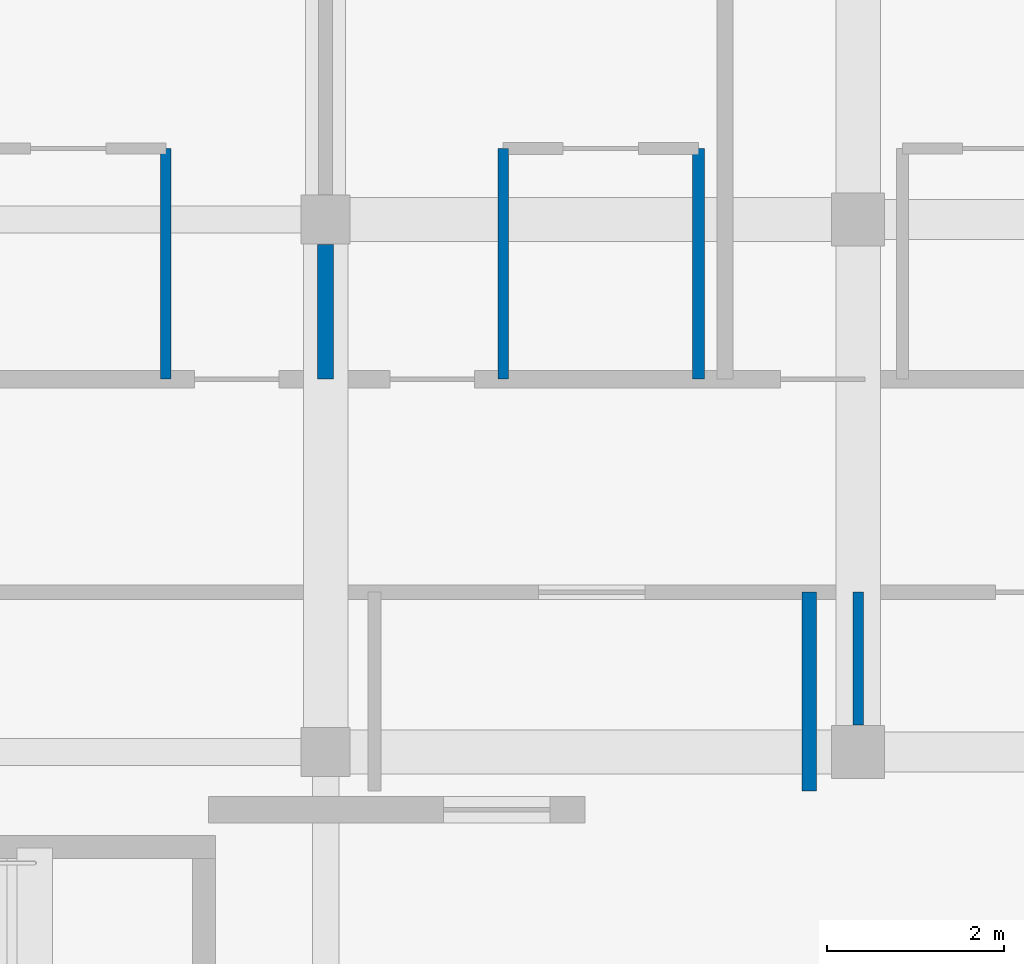
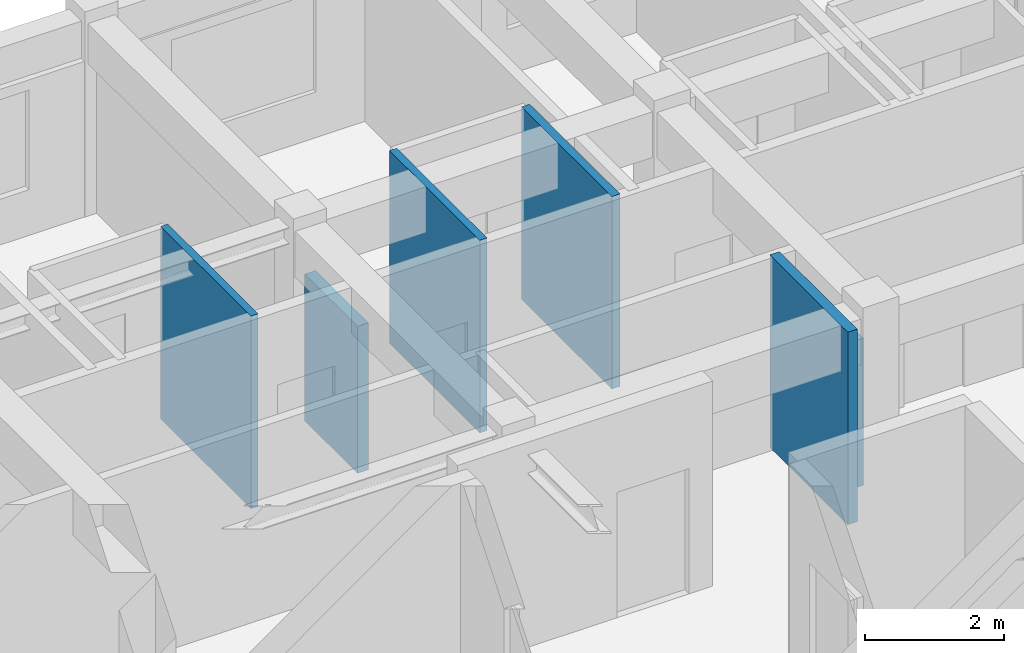
# One storey, part 8 of 25: 6 walls.
"""IFC4 building model written with IfcOpenShell, lengths in metres."""

import ifcopenshell
import ifcopenshell.guid

model = None  # the IFC model being written
_history = None  # IfcOwnerHistory: only IFC2X3 demands one
_inside = {}  # id of a spatial element -> (the spatial element, [elements in it])
_under = {}  # id of a project, library or spatial element -> (it, [spatial elements below it])
_declared = {}  # id of a project -> (the project, [libraries it declares])
_typed = {}  # id of a type object -> (the type object, [elements of that type])
_made_of = {}  # id of a material, layer set ... -> (it, [elements and type objects made of it])


def new_model(schema):
    """Start an empty IFC model of exactly this schema.

    Asked for "IFC4X3", IfcOpenShell would pick the latest addendum, in which some entities
    have other attributes; the version numbers below select the first issue.
    IFC2X3 requires an IfcOwnerHistory on every rooted entity: one is made here for all.
    """
    global model, _history
    if schema == "IFC4X3":
        model = ifcopenshell.file(schema_version=(4, 3, 0, 0))
    else:
        model = ifcopenshell.file(schema=schema)
    _inside.clear()
    _under.clear()
    _declared.clear()
    _typed.clear()
    _made_of.clear()
    _history = None
    if model.schema == "IFC2X3":
        org = make("IfcOrganization", Name="unknown")
        user = make(
            "IfcPersonAndOrganization",
            ThePerson=make("IfcPerson", FamilyName="unknown"),
            TheOrganization=org,
        )
        app = make(
            "IfcApplication",
            ApplicationDeveloper=org,
            Version="unknown",
            ApplicationFullName="unknown",
            ApplicationIdentifier="unknown",
        )
        _history = make(
            "IfcOwnerHistory",
            OwningUser=user,
            OwningApplication=app,
            ChangeAction="ADDED",
            CreationDate=0,
        )
    return model


def make(cls, **values):
    """One entity of the class cls with the attributes given. An attribute that is None is left unset."""
    return model.create_entity(
        cls, **{name: value for name, value in values.items() if value is not None}
    )


def rooted(cls, **values):
    """An entity with a GlobalId (a new one), such as an element, a storey or a relation."""
    return make(cls, GlobalId=ifcopenshell.guid.new(), OwnerHistory=_history, **values)


def si_unit(unit_type, name, prefix=None):
    """IfcSIUnit, for example si_unit("LENGTHUNIT", "METRE", prefix="MILLI")."""
    return make("IfcSIUnit", UnitType=unit_type, Prefix=prefix, Name=name)


def assignment(units):
    """IfcUnitAssignment: the units of a project."""
    return None if units is None else make("IfcUnitAssignment", Units=units)


def point(xyz):
    """IfcCartesianPoint."""
    return None if xyz is None else make("IfcCartesianPoint", Coordinates=xyz)


def direction(xyz):
    """IfcDirection."""
    return None if xyz is None else make("IfcDirection", DirectionRatios=xyz)


def frame(location, z_axis=None, x_axis=None):
    """IfcAxis2Placement3D, a coordinate frame: its origin and axes. An axis left out is left unset."""
    return make(
        "IfcAxis2Placement3D",
        Location=point(location),
        Axis=direction(z_axis),
        RefDirection=direction(x_axis),
    )


def frame_2d(location, x_axis=None):
    """IfcAxis2Placement2D, a coordinate frame in the plane: its origin and x axis."""
    return make(
        "IfcAxis2Placement2D", Location=point(location), RefDirection=direction(x_axis)
    )


def origin():
    """The frame at (0, 0, 0) with its axes left unset."""
    return frame((0.0, 0.0, 0.0))


def place(relative_to, where):
    """IfcLocalPlacement: puts the frame where relative to a parent placement (None: the world)."""
    return make(
        "IfcLocalPlacement", PlacementRelTo=relative_to, RelativePlacement=where
    )


def context(
    kind, dimensions, precision=None, world=None, true_north=None, identifier=None
):
    """IfcGeometricRepresentationContext, for example the 3D "Model" context."""
    return make(
        "IfcGeometricRepresentationContext",
        ContextIdentifier=identifier,
        ContextType=kind,
        CoordinateSpaceDimension=dimensions,
        Precision=precision,
        WorldCoordinateSystem=world,
        TrueNorth=true_north,
    )


def subcontext(parent, identifier, kind, view, scale=None):
    """IfcGeometricRepresentationSubContext, for example "Body" below "Model"."""
    return make(
        "IfcGeometricRepresentationSubContext",
        ContextIdentifier=identifier,
        ContextType=kind,
        ParentContext=parent,
        TargetScale=scale,
        TargetView=view,
    )


def project(units=None, contexts=None):
    """IfcProject with its units and contexts."""
    return rooted(
        "IfcProject",
        Name="project",
        RepresentationContexts=contexts,
        UnitsInContext=assignment(units),
    )


def spatial(cls, under=None, at=None, **own):
    """A site, building, storey or space (cls), placed at a placement, below another one or the project."""
    s = rooted(cls, ObjectPlacement=at, **own)
    if under is not None:
        _under.setdefault(under.id(), (under, []))[1].append(s)
    return s


def profile(cls, at=None, kind="AREA", **sizes):
    """A parametric profile (cls). Its sizes go by their IFC names, for example OverallWidth=200.0."""
    return make(cls, ProfileType=kind, Position=at, **sizes)


def rectangle(**sizes):
    """IfcRectangleProfileDef."""
    return profile("IfcRectangleProfileDef", **sizes)


def extrude(swept, where, along, depth):
    """IfcExtrudedAreaSolid: the profile swept, set in the frame where, extruded along a direction by depth."""
    return make(
        "IfcExtrudedAreaSolid",
        SweptArea=swept,
        Position=where,
        ExtrudedDirection=direction(along),
        Depth=depth,
    )


def shape(context_of_items, identifier, shape_type, items):
    """IfcShapeRepresentation: the items that make up one representation, for example the "Body"."""
    return make(
        "IfcShapeRepresentation",
        ContextOfItems=context_of_items,
        RepresentationIdentifier=identifier,
        RepresentationType=shape_type,
        Items=items,
    )


def material(Name=None, Category=None):
    """IfcMaterial."""
    return make("IfcMaterial", Name=Name, Category=Category)


def layer(
    of_material, thickness, ventilated=None, Name=None, Category=None, Priority=None
):
    """IfcMaterialLayer: one layer of a wall or slab, of a material (None: an air gap)."""
    return make(
        "IfcMaterialLayer",
        Material=of_material,
        LayerThickness=thickness,
        IsVentilated=ventilated,
        Name=Name,
        Category=Category,
        Priority=Priority,
    )


def layer_set(layers, Name=None):
    """IfcMaterialLayerSet."""
    return make("IfcMaterialLayerSet", MaterialLayers=layers, LayerSetName=Name)


def made_of(thing, what):
    """Note that an element or type object is made of a material, layer set ...; save() writes the relation."""
    if what is not None:
        _made_of.setdefault(what.id(), (what, []))[1].append(thing)
    return thing


def type_object(cls, material=None, **own):
    """A type object (cls), such as IfcWallType, which elements share."""
    return made_of(rooted(cls, **own), material)


def element(
    cls,
    number,
    at=None,
    inside=None,
    cuts=None,
    type_object=None,
    material=None,
    context=None,
    identifier="Body",
    shape_type=None,
    held_by="IfcProductDefinitionShape",
    body=None,
    shapes=None,
    **own,
):
    """One element of the class cls, such as IfcWall. Its Tag is "e" and its number.

    at: its placement. inside: the storey or other place that contains it. cuts: it is an
    opening in that element (IfcRelVoidsElement). A single representation is given by context,
    identifier, shape_type and body (its items); several are given by shapes. held_by: the class
    of the entity that holds the representations. save() writes the other relations.
    """
    e = rooted(cls, Tag="e%d" % number, ObjectPlacement=at, **own)
    if body is not None:
        shapes = [shape(context, identifier, shape_type, body)]
    if shapes is not None:
        e.Representation = make(held_by, Representations=shapes)
    if inside is not None:
        _inside.setdefault(inside.id(), (inside, []))[1].append(e)
    if cuts is not None:
        rooted(
            "IfcRelVoidsElement", RelatingBuildingElement=cuts, RelatedOpeningElement=e
        )
    if type_object is not None:
        _typed.setdefault(type_object.id(), (type_object, []))[1].append(e)
    return made_of(e, material)


def aggregate(whole, parts):
    """IfcRelAggregates: a whole, such as a stair, and the parts it consists of."""
    return rooted("IfcRelAggregates", RelatingObject=whole, RelatedObjects=parts)


def save(model, path):
    """Write the relations noted so far, then the file.

    IfcRelAggregates (storeys below a building ...), IfcRelContainedInSpatialStructure (elements
    in a storey), IfcRelDefinesByType, IfcRelAssociatesMaterial and IfcRelDeclares: one each for
    every whole, place, type object, material and project.
    """
    for whole, parts in _under.values():
        aggregate(whole, parts)
    for where, things in _inside.values():
        rooted(
            "IfcRelContainedInSpatialStructure",
            RelatedElements=things,
            RelatingStructure=where,
        )
    for kind, things in _typed.values():
        rooted("IfcRelDefinesByType", RelatedObjects=things, RelatingType=kind)
    for what, things in _made_of.values():
        rooted("IfcRelAssociatesMaterial", RelatedObjects=things, RelatingMaterial=what)
    for by, libraries in _declared.values():
        rooted("IfcRelDeclares", RelatingContext=by, RelatedDefinitions=libraries)
    model.write(path)


model = new_model("IFC4")

# Units and contexts
model_context = context("Model", 3, precision=1e-05, world=origin(), true_north=direction((0.0, 1.0)))
body_context = subcontext(model_context, "Body", "Model", "MODEL_VIEW")
ifc_project = project(units=[si_unit("LENGTHUNIT", "METRE"), si_unit("AREAUNIT", "SQUARE_METRE"), si_unit("VOLUMEUNIT", "CUBIC_METRE"), si_unit("PLANEANGLEUNIT", "RADIAN"), si_unit("MASSUNIT", "GRAM", prefix="KILO"), si_unit("THERMODYNAMICTEMPERATUREUNIT", "KELVIN"), si_unit("POWERUNIT", "WATT")], contexts=[model_context])

# Site, building, storey
site_placement = place(None, origin())
site = spatial("IfcSite", under=ifc_project, at=site_placement, CompositionType="ELEMENT")
building_placement = place(site_placement, origin())
building = spatial("IfcBuilding", under=site, at=building_placement, Name="Phaisarnlok Congress Hotel", CompositionType="ELEMENT")
storey_placement = place(building_placement, frame((0.0, 0.0, 24.60009765625)))
storey = spatial("IfcBuildingStorey", under=building, at=storey_placement, Name="L05", CompositionType="ELEMENT", Elevation=24.60009765625)

# Walls
ifc_material_1 = material(Name="Lightweight Metal-Stud Gypsum Partition", Category="gypsum")
ifc_layer_1 = layer(ifc_material_1, 0.1201171875, Name="Lightweight Metal-Stud Gypsum Partition")
ifc_layer_set_1 = layer_set([ifc_layer_1], Name="Lightweight Metal-Stud Gypsum Partition")
wall_type_1 = type_object("IfcWallType", Name="WL-INT-120", PredefinedType="PARTITIONING", material=ifc_layer_set_1)
for number, where, z_axis, x_axis, name in (
    (1, (112.199951171875, 118.199951171875, 0.0), (0.0, 0.0, 1.0), (0.0, 1.0, 0.0), "Interior partition wall IW-07 (L05)"),
    (2, (116.0, 118.199951171875, 0.0), (0.0, 0.0, 1.0), (0.0, 1.0, 0.0), "Interior partition wall IW-07 (L05)"),
):
    element("IfcWall", number, at=place(storey_placement, frame(where, z_axis=z_axis, x_axis=x_axis)), inside=storey, type_object=wall_type_1, Name=name, PredefinedType="PARTITIONING", context=body_context, shape_type="SweptSolid", body=[
        extrude(rectangle(XDim=2.60009765625, YDim=0.1201171875, at=frame_2d((1.300048828125, 0.0))), origin(), (0.0, 0.0, 1.0), 3.3798828125),
    ])
wall_1_placement = place(storey_placement, frame((120.0, 114.304931640625, 0.0), z_axis=(0.0, 0.0, 1.0), x_axis=(0.0, 1.0, 0.0)))
element("IfcWall", 3, at=wall_1_placement, inside=storey, type_object=wall_type_1, Name="Interior partition wall IW-07 (L05)", PredefinedType="PARTITIONING", context=body_context, shape_type="SweptSolid", body=[
    extrude(rectangle(XDim=1.4951171875, YDim=0.1201171875, at=frame_2d((0.74755859375, 0.0))), origin(), (0.0, 0.0, 1.0), 2.579833984375),
])
ifc_material_2 = material(Name="Moisture-Resistant Gypsum Partition", Category="gypsum")
ifc_layer_2 = layer(ifc_material_2, 0.135009765625, Name="Moisture-Resistant Gypsum Partition")
ifc_layer_set_2 = layer_set([ifc_layer_2], Name="Moisture-Resistant Gypsum Partition")
wall_type_2 = type_object("IfcWallType", Name="WL-INT-135", PredefinedType="PARTITIONING", material=ifc_layer_set_2)
wall_2_placement = place(storey_placement, frame((118.199951171875, 118.199951171875, 0.0), z_axis=(0.0, 0.0, 1.0), x_axis=(0.0, 1.0, 0.0)))
element("IfcWall", 4, at=wall_2_placement, inside=storey, type_object=wall_type_2, Name="Interior partition wall IW-06 (L05)", PredefinedType="PARTITIONING", context=body_context, shape_type="SweptSolid", body=[
    extrude(rectangle(XDim=2.60009765625, YDim=0.135009765625, at=frame_2d((1.300048828125, 0.0))), origin(), (0.0, 0.0, 1.0), 3.3798828125),
])
ifc_material_3 = material(Name="Double-Stud Acoustic Gypsum Partition", Category="gypsum")
ifc_layer_3 = layer(ifc_material_3, 0.159912109375, Name="Double-Stud Acoustic Gypsum Partition")
ifc_layer_set_3 = layer_set([ifc_layer_3], Name="Double-Stud Acoustic Gypsum Partition")
wall_type_3 = type_object("IfcWallType", Name="WL-INT-160", PredefinedType="PARTITIONING", material=ifc_layer_set_3)
wall_3_placement = place(storey_placement, frame((119.449951171875, 113.56005859375, 0.0), z_axis=(0.0, 0.0, 1.0), x_axis=(0.0, 1.0, 0.0)))
element("IfcWall", 5, at=wall_3_placement, inside=storey, type_object=wall_type_3, Name="Interior partition wall IW-04 (L05)", PredefinedType="PARTITIONING", context=body_context, shape_type="SweptSolid", body=[
    extrude(rectangle(XDim=2.239990234375, YDim=0.159912109375, at=frame_2d((1.1201171875, 0.0))), origin(), (0.0, 0.0, 1.0), 3.3798828125),
])
ifc_material_4 = material(Name="Autoclaved Aerated Concrete Block", Category="concrete")
ifc_layer_4 = layer(ifc_material_4, 0.179931640625, Name="Autoclaved Aerated Concrete Block")
ifc_layer_set_4 = layer_set([ifc_layer_4], Name="Autoclaved Aerated Concrete Block")
wall_type_4 = type_object("IfcWallType", Name="WL-INT-180", PredefinedType="PARTITIONING", material=ifc_layer_set_4)
wall_4_placement = place(storey_placement, frame((114.0, 118.199951171875, 0.0), z_axis=(0.0, 0.0, 1.0), x_axis=(0.0, 1.0, 0.0)))
element("IfcWall", 6, at=wall_4_placement, inside=storey, type_object=wall_type_4, Name="Interior partition wall IW-03 (L05)", PredefinedType="PARTITIONING", context=body_context, shape_type="SweptSolid", body=[
    extrude(rectangle(XDim=1.52001953125, YDim=0.179931640625, at=frame_2d((0.760009765625, 0.0))), origin(), (0.0, 0.0, 1.0), 2.579833984375),
])

save(model, "model.ifc")
